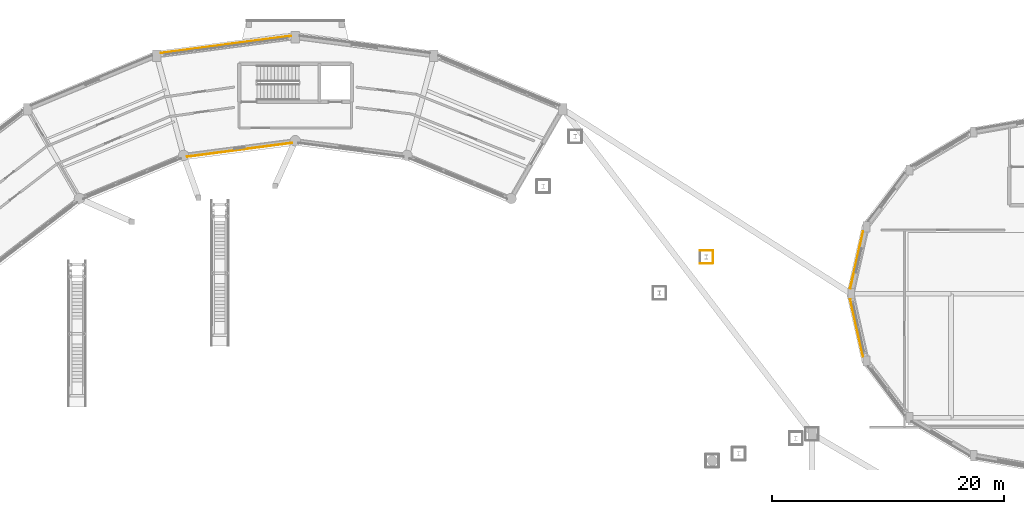
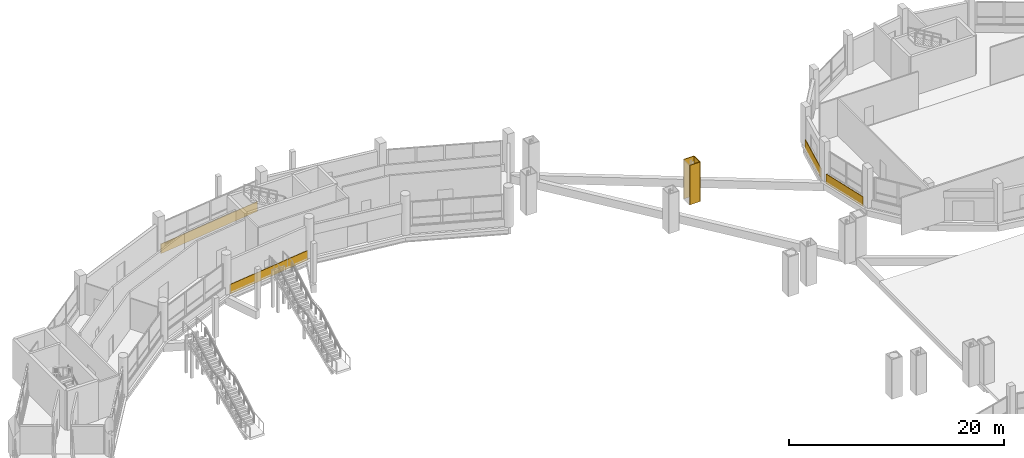
# One storey, part 123 of 129: 7 coverings.
"""IFC4 building model written with IfcOpenShell, lengths in metres."""

from ifc_helpers import new_model, si_unit, direction, frame, frame_2d, origin, place, context, subcontext, project, spatial, rectangle, extrude, material, layer, layer_set, type_object, element, save


model = new_model("IFC4")

# Units and contexts
model_context = context("Model", 3, precision=1e-05, world=origin(), true_north=direction((0.0, 1.0)))
body_context = subcontext(model_context, "Body", "Model", "MODEL_VIEW")
ifc_project = project(units=[si_unit("LENGTHUNIT", "METRE"), si_unit("AREAUNIT", "SQUARE_METRE"), si_unit("VOLUMEUNIT", "CUBIC_METRE"), si_unit("PLANEANGLEUNIT", "RADIAN"), si_unit("MASSUNIT", "GRAM", prefix="KILO")], contexts=[model_context])

# Site, building, storey
site_placement = place(None, origin())
site = spatial("IfcSite", under=ifc_project, at=site_placement, CompositionType="ELEMENT")
building_placement = place(site_placement, origin())
building = spatial("IfcBuilding", under=site, at=building_placement, Name="Vespera Passage Community Centre", CompositionType="ELEMENT")
storey_placement = place(building_placement, origin())
storey = spatial("IfcBuildingStorey", under=building, at=storey_placement, Name="L00", CompositionType="ELEMENT", Elevation=0.0)

# Coverings
ifc_material = material(Name="Precast concrete f'c 40 MPa", Category="concrete")
ifc_layer = layer(ifc_material, 0.06005859375)
ifc_layer_set = layer_set([ifc_layer], Name="Precast concrete f'c 40 MPa")
covering_type = type_object("IfcCoveringType", Name="COV-CLAD-60E", PredefinedType="CLADDING", material=ifc_layer_set)
covering_1_placement = place(storey_placement, frame((112.86328125, 92.12109375, 0.0), z_axis=(0.0, 0.0, 1.0), x_axis=(1.0, 0.0, 0.0)))
element("IfcCovering", 1, at=covering_1_placement, inside=storey, type_object=covering_type, Name="Pylon 2.5 TO L00 White Architectural Casing 1", PredefinedType="CLADDING", context=body_context, shape_type="SweptSolid", body=[
    extrude(rectangle(XDim=1.119873046875, YDim=0.06005859375, at=frame_2d((0.56005859375, 0.0))), origin(), (0.0, 0.0, 1.0), 4.5),
])
covering_2_placement = place(storey_placement, frame((113.983154296875, 92.12109375, 0.0), z_axis=(0.0, 0.0, 1.0), x_axis=(0.0, 1.0, 0.0)))
element("IfcCovering", 2, at=covering_2_placement, inside=storey, type_object=covering_type, Name="Pylon 2.5 TO L00 White Architectural Casing 2", PredefinedType="CLADDING", context=body_context, shape_type="SweptSolid", body=[
    extrude(rectangle(XDim=1.1201171875, YDim=0.06005859375, at=frame_2d((0.56005859375, 0.0))), origin(), (0.0, 0.0, 1.0), 4.5),
])
covering_3_placement = place(storey_placement, frame((113.983154296875, 93.2412109375, 0.0), z_axis=(0.0, 0.0, 1.0), x_axis=(-1.0, 0.0, 0.0)))
element("IfcCovering", 3, at=covering_3_placement, inside=storey, type_object=covering_type, Name="Pylon 2.5 TO L00 White Architectural Casing 3", PredefinedType="CLADDING", context=body_context, shape_type="SweptSolid", body=[
    extrude(rectangle(XDim=1.119873046875, YDim=0.06005859375, at=frame_2d((0.56005859375, 0.0))), origin(), (0.0, 0.0, 1.0), 4.5),
])
covering_4_placement = place(storey_placement, frame((66.396484375, 110.243896484375, -0.280029296875), z_axis=(0.0, 0.0, 1.0), x_axis=(0.991446004399, 0.130517509785, 0.0)))
element("IfcCovering", 4, at=covering_4_placement, inside=storey, type_object=covering_type, Name="V4 L00 Outer White Spandrel Band O6", PredefinedType="CLADDING", context=body_context, shape_type="SweptSolid", body=[
    extrude(rectangle(XDim=11.328125, YDim=0.06005859375, at=frame_2d((5.6640625, 0.0))), origin(), (0.0, 0.0, 1.0), 1.10009765625),
])
covering_5_placement = place(storey_placement, frame((77.7451171875, 102.510009765625, -0.280029296875), z_axis=(0.0, 0.0, 1.0), x_axis=(-0.99144567161, -0.13052003772, 0.0)))
element("IfcCovering", 5, at=covering_5_placement, inside=storey, type_object=covering_type, Name="V4 L00 Court White Sill Band I6", PredefinedType="CLADDING", context=body_context, shape_type="SweptSolid", body=[
    extrude(rectangle(XDim=9.15625, YDim=0.06005859375, at=frame_2d((4.578125, 0.0))), origin(), (0.0, 0.0, 1.0), 1.10009765625),
])
for number, where, z_axis, x_axis, name in (
    (6, (125.810546875, 89.96728515625, -0.260009765625), (0.0, 0.0, 1.0), (0.219734171438, 0.975559784894, 0.0), "V2 L00 White Sill Band 8"),
    (7, (126.92041015625, 84.105224609375, -0.260009765625), (0.0, 0.0, 1.0), (-0.219734171438, 0.975559784894, 0.0), "V2 L00 White Spandrel Band 9"),
):
    element("IfcCovering", number, at=place(storey_placement, frame(where, z_axis=z_axis, x_axis=x_axis)), inside=storey, type_object=covering_type, Name=name, PredefinedType="CLADDING", context=body_context, shape_type="SweptSolid", body=[
        extrude(rectangle(XDim=5.051025390625, YDim=0.06005859375, at=frame_2d((2.525390625, 0.0))), origin(), (0.0, 0.0, 1.0), 1.110107421875),
    ])

save(model, "model.ifc")
